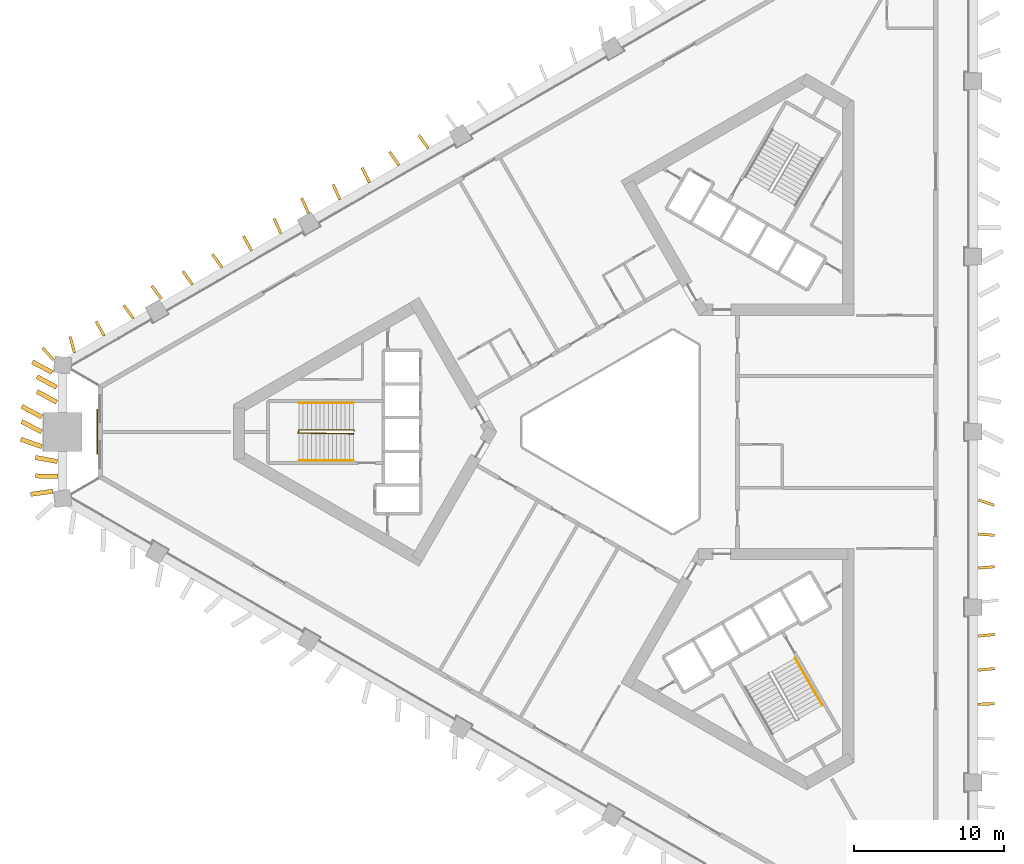
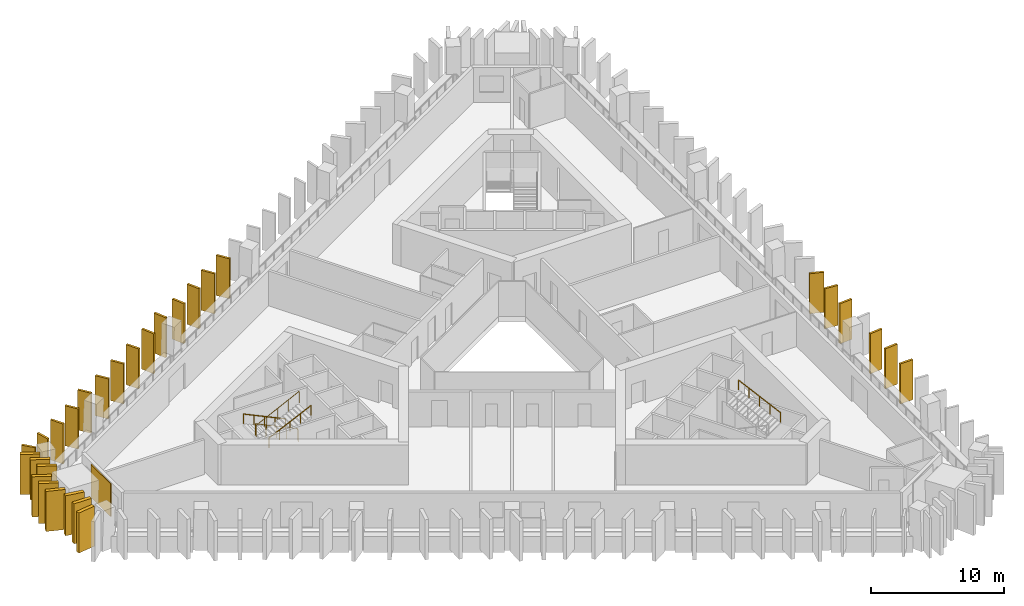
# One storey, part 8 of 10: 29 shading devices, 4 railings, 1 covering.
"""IFC4 building model written with IfcOpenShell, lengths in metres."""

import ifcopenshell
import ifcopenshell.guid

model = None  # the IFC model being written
_history = None  # IfcOwnerHistory: only IFC2X3 demands one
_inside = {}  # id of a spatial element -> (the spatial element, [elements in it])
_under = {}  # id of a project, library or spatial element -> (it, [spatial elements below it])
_declared = {}  # id of a project -> (the project, [libraries it declares])
_typed = {}  # id of a type object -> (the type object, [elements of that type])
_made_of = {}  # id of a material, layer set ... -> (it, [elements and type objects made of it])


def new_model(schema):
    """Start an empty IFC model of exactly this schema.

    Asked for "IFC4X3", IfcOpenShell would pick the latest addendum, in which some entities
    have other attributes; the version numbers below select the first issue.
    IFC2X3 requires an IfcOwnerHistory on every rooted entity: one is made here for all.
    """
    global model, _history
    if schema == "IFC4X3":
        model = ifcopenshell.file(schema_version=(4, 3, 0, 0))
    else:
        model = ifcopenshell.file(schema=schema)
    _inside.clear()
    _under.clear()
    _declared.clear()
    _typed.clear()
    _made_of.clear()
    _history = None
    if model.schema == "IFC2X3":
        org = make("IfcOrganization", Name="unknown")
        user = make(
            "IfcPersonAndOrganization",
            ThePerson=make("IfcPerson", FamilyName="unknown"),
            TheOrganization=org,
        )
        app = make(
            "IfcApplication",
            ApplicationDeveloper=org,
            Version="unknown",
            ApplicationFullName="unknown",
            ApplicationIdentifier="unknown",
        )
        _history = make(
            "IfcOwnerHistory",
            OwningUser=user,
            OwningApplication=app,
            ChangeAction="ADDED",
            CreationDate=0,
        )
    return model


def make(cls, **values):
    """One entity of the class cls with the attributes given. An attribute that is None is left unset."""
    return model.create_entity(
        cls, **{name: value for name, value in values.items() if value is not None}
    )


def rooted(cls, **values):
    """An entity with a GlobalId (a new one), such as an element, a storey or a relation."""
    return make(cls, GlobalId=ifcopenshell.guid.new(), OwnerHistory=_history, **values)


def si_unit(unit_type, name, prefix=None):
    """IfcSIUnit, for example si_unit("LENGTHUNIT", "METRE", prefix="MILLI")."""
    return make("IfcSIUnit", UnitType=unit_type, Prefix=prefix, Name=name)


def assignment(units):
    """IfcUnitAssignment: the units of a project."""
    return None if units is None else make("IfcUnitAssignment", Units=units)


def point(xyz):
    """IfcCartesianPoint."""
    return None if xyz is None else make("IfcCartesianPoint", Coordinates=xyz)


def direction(xyz):
    """IfcDirection."""
    return None if xyz is None else make("IfcDirection", DirectionRatios=xyz)


def frame(location, z_axis=None, x_axis=None):
    """IfcAxis2Placement3D, a coordinate frame: its origin and axes. An axis left out is left unset."""
    return make(
        "IfcAxis2Placement3D",
        Location=point(location),
        Axis=direction(z_axis),
        RefDirection=direction(x_axis),
    )


def frame_2d(location, x_axis=None):
    """IfcAxis2Placement2D, a coordinate frame in the plane: its origin and x axis."""
    return make(
        "IfcAxis2Placement2D", Location=point(location), RefDirection=direction(x_axis)
    )


def origin():
    """The frame at (0, 0, 0) with its axes left unset."""
    return frame((0.0, 0.0, 0.0))


def origin_2d():
    """The frame at (0, 0) in the plane with its x axis left unset."""
    return frame_2d((0.0, 0.0))


def place(relative_to, where):
    """IfcLocalPlacement: puts the frame where relative to a parent placement (None: the world)."""
    return make(
        "IfcLocalPlacement", PlacementRelTo=relative_to, RelativePlacement=where
    )


def context(
    kind, dimensions, precision=None, world=None, true_north=None, identifier=None
):
    """IfcGeometricRepresentationContext, for example the 3D "Model" context."""
    return make(
        "IfcGeometricRepresentationContext",
        ContextIdentifier=identifier,
        ContextType=kind,
        CoordinateSpaceDimension=dimensions,
        Precision=precision,
        WorldCoordinateSystem=world,
        TrueNorth=true_north,
    )


def subcontext(parent, identifier, kind, view, scale=None):
    """IfcGeometricRepresentationSubContext, for example "Body" below "Model"."""
    return make(
        "IfcGeometricRepresentationSubContext",
        ContextIdentifier=identifier,
        ContextType=kind,
        ParentContext=parent,
        TargetScale=scale,
        TargetView=view,
    )


def project(units=None, contexts=None):
    """IfcProject with its units and contexts."""
    return rooted(
        "IfcProject",
        Name="project",
        RepresentationContexts=contexts,
        UnitsInContext=assignment(units),
    )


def spatial(cls, under=None, at=None, **own):
    """A site, building, storey or space (cls), placed at a placement, below another one or the project."""
    s = rooted(cls, ObjectPlacement=at, **own)
    if under is not None:
        _under.setdefault(under.id(), (under, []))[1].append(s)
    return s


def profile(cls, at=None, kind="AREA", **sizes):
    """A parametric profile (cls). Its sizes go by their IFC names, for example OverallWidth=200.0."""
    return make(cls, ProfileType=kind, Position=at, **sizes)


def rectangle(**sizes):
    """IfcRectangleProfileDef."""
    return profile("IfcRectangleProfileDef", **sizes)


def circle(**sizes):
    """IfcCircleProfileDef."""
    return profile("IfcCircleProfileDef", **sizes)


def extrude(swept, where, along, depth):
    """IfcExtrudedAreaSolid: the profile swept, set in the frame where, extruded along a direction by depth."""
    return make(
        "IfcExtrudedAreaSolid",
        SweptArea=swept,
        Position=where,
        ExtrudedDirection=direction(along),
        Depth=depth,
    )


def shape(context_of_items, identifier, shape_type, items):
    """IfcShapeRepresentation: the items that make up one representation, for example the "Body"."""
    return make(
        "IfcShapeRepresentation",
        ContextOfItems=context_of_items,
        RepresentationIdentifier=identifier,
        RepresentationType=shape_type,
        Items=items,
    )


def material(Name=None, Category=None):
    """IfcMaterial."""
    return make("IfcMaterial", Name=Name, Category=Category)


def layer(
    of_material, thickness, ventilated=None, Name=None, Category=None, Priority=None
):
    """IfcMaterialLayer: one layer of a wall or slab, of a material (None: an air gap)."""
    return make(
        "IfcMaterialLayer",
        Material=of_material,
        LayerThickness=thickness,
        IsVentilated=ventilated,
        Name=Name,
        Category=Category,
        Priority=Priority,
    )


def layer_set(layers, Name=None):
    """IfcMaterialLayerSet."""
    return make("IfcMaterialLayerSet", MaterialLayers=layers, LayerSetName=Name)


def made_of(thing, what):
    """Note that an element or type object is made of a material, layer set ...; save() writes the relation."""
    if what is not None:
        _made_of.setdefault(what.id(), (what, []))[1].append(thing)
    return thing


def type_object(cls, material=None, **own):
    """A type object (cls), such as IfcWallType, which elements share."""
    return made_of(rooted(cls, **own), material)


def element(
    cls,
    number,
    at=None,
    inside=None,
    cuts=None,
    type_object=None,
    material=None,
    context=None,
    identifier="Body",
    shape_type=None,
    held_by="IfcProductDefinitionShape",
    body=None,
    shapes=None,
    **own,
):
    """One element of the class cls, such as IfcWall. Its Tag is "e" and its number.

    at: its placement. inside: the storey or other place that contains it. cuts: it is an
    opening in that element (IfcRelVoidsElement). A single representation is given by context,
    identifier, shape_type and body (its items); several are given by shapes. held_by: the class
    of the entity that holds the representations. save() writes the other relations.
    """
    e = rooted(cls, Tag="e%d" % number, ObjectPlacement=at, **own)
    if body is not None:
        shapes = [shape(context, identifier, shape_type, body)]
    if shapes is not None:
        e.Representation = make(held_by, Representations=shapes)
    if inside is not None:
        _inside.setdefault(inside.id(), (inside, []))[1].append(e)
    if cuts is not None:
        rooted(
            "IfcRelVoidsElement", RelatingBuildingElement=cuts, RelatedOpeningElement=e
        )
    if type_object is not None:
        _typed.setdefault(type_object.id(), (type_object, []))[1].append(e)
    return made_of(e, material)


def aggregate(whole, parts):
    """IfcRelAggregates: a whole, such as a stair, and the parts it consists of."""
    return rooted("IfcRelAggregates", RelatingObject=whole, RelatedObjects=parts)


def save(model, path):
    """Write the relations noted so far, then the file.

    IfcRelAggregates (storeys below a building ...), IfcRelContainedInSpatialStructure (elements
    in a storey), IfcRelDefinesByType, IfcRelAssociatesMaterial and IfcRelDeclares: one each for
    every whole, place, type object, material and project.
    """
    for whole, parts in _under.values():
        aggregate(whole, parts)
    for where, things in _inside.values():
        rooted(
            "IfcRelContainedInSpatialStructure",
            RelatedElements=things,
            RelatingStructure=where,
        )
    for kind, things in _typed.values():
        rooted("IfcRelDefinesByType", RelatedObjects=things, RelatingType=kind)
    for what, things in _made_of.values():
        rooted("IfcRelAssociatesMaterial", RelatedObjects=things, RelatingMaterial=what)
    for by, libraries in _declared.values():
        rooted("IfcRelDeclares", RelatingContext=by, RelatedDefinitions=libraries)
    model.write(path)


model = new_model("IFC4")

# Units and contexts
model_context = context("Model", 3, precision=1e-05, world=origin(), true_north=direction((0.0, 1.0)))
body_context = subcontext(model_context, "Body", "Model", "MODEL_VIEW")
ifc_project = project(units=[si_unit("LENGTHUNIT", "METRE"), si_unit("AREAUNIT", "SQUARE_METRE"), si_unit("VOLUMEUNIT", "CUBIC_METRE"), si_unit("PLANEANGLEUNIT", "RADIAN"), si_unit("MASSUNIT", "GRAM", prefix="KILO")], contexts=[model_context])

# Site, building, storey
site_placement = place(None, origin())
site = spatial("IfcSite", under=ifc_project, at=site_placement, CompositionType="ELEMENT")
building_placement = place(site_placement, origin())
building = spatial("IfcBuilding", under=site, at=building_placement, Name="Jabali Bay Hotel Tower and Convention Centre", CompositionType="ELEMENT")
storey_placement = place(building_placement, frame((0.0, 0.0, 86.89990234375)))
storey = spatial("IfcBuildingStorey", under=building, at=storey_placement, Name="L20", CompositionType="ELEMENT", Elevation=86.89990234375)

# Shading devices
ifc_material_1 = material(Name="Precast concrete C60", Category="concrete")
ifc_layer_1 = layer(ifc_material_1, 0.179931640625)
ifc_layer_set_1 = layer_set([ifc_layer_1], Name="Precast concrete C60")
shading_device_type_1 = type_object("IfcShadingDeviceType", Name="Precast fin 3680 x 1100", PredefinedType="USERDEFINED", material=ifc_layer_set_1)
shading_device_1_placement = place(storey_placement, frame((98.19580078125, 61.78759765625, 0.010009765625), z_axis=(0.0, 0.0, 1.0), x_axis=(0.999685563882, 0.025075353767, 0.0)))
element("IfcShadingDevice", 1, at=shading_device_1_placement, inside=storey, type_object=shading_device_type_1, Name="Fin L20 005", ObjectType="FIN", PredefinedType="USERDEFINED", context=body_context, shape_type="SweptSolid", body=[
    extrude(rectangle(XDim=1.10009765625, YDim=0.179931640625, at=frame_2d((0.550048828125, 0.0))), origin(), (0.0, 0.0, 1.0), 3.68017578125),
])
shading_device_2_placement = place(storey_placement, frame((98.202392578125, 64.064208984375, 0.010009765625), z_axis=(0.0, 0.0, 1.0), x_axis=(0.995391116058, 0.095898519656, 0.0)))
element("IfcShadingDevice", 2, at=shading_device_2_placement, inside=storey, type_object=shading_device_type_1, Name="Fin L20 006", ObjectType="FIN", PredefinedType="USERDEFINED", context=body_context, shape_type="SweptSolid", body=[
    extrude(rectangle(XDim=1.099853515625, YDim=0.179931640625, at=frame_2d((0.5498046875, 0.0))), origin(), (0.0, 0.0, 1.0), 3.68017578125),
])
for number, where, z_axis, x_axis, name in (
    (3, (98.203125, 66.3408203125, 0.010009765625), (0.0, 0.0, 1.0), (0.994521251134, 0.104534592565, 0.0), "Fin L20 007"),
    (4, (98.20068359375, 70.893798828125, 0.010009765625), (0.0, 0.0, 1.0), (0.996995441733, 0.077460242468, 0.0), "Fin L20 009"),
    (5, (98.201171875, 73.17041015625, 0.010009765625), (0.0, 0.0, 1.0), (0.996548818927, -0.083008743492, 0.0), "Fin L20 010"),
    (6, (98.22216796875, 75.447021484375, 0.010009765625), (0.0, 0.0, 1.0), (0.948082385544, -0.318024826424, 0.0), "Fin L20 011"),
    (7, (61.42724609375, 98.955810546875, 0.010009765625), (0.0, 0.0, 1.0), (-0.584152700173, 0.811643778317, 0.0), "Fin L20 050"),
):
    element("IfcShadingDevice", number, at=place(storey_placement, frame(where, z_axis=z_axis, x_axis=x_axis)), inside=storey, type_object=shading_device_type_1, Name=name, ObjectType="FIN", PredefinedType="USERDEFINED", context=body_context, shape_type="SweptSolid", body=[
        extrude(rectangle(XDim=1.10009765625, YDim=0.179931640625, at=frame_2d((0.550048828125, 0.0))), origin(), (0.0, 0.0, 1.0), 3.68017578125),
    ])
shading_device_3_placement = place(storey_placement, frame((59.456787109375, 97.8154296875, 0.010009765625), z_axis=(0.0, 0.0, 1.0), x_axis=(-0.561544839227, 0.827446308553, 0.0)))
element("IfcShadingDevice", 8, at=shading_device_3_placement, inside=storey, type_object=shading_device_type_1, Name="Fin L20 051", ObjectType="FIN", PredefinedType="USERDEFINED", context=body_context, shape_type="SweptSolid", body=[
    extrude(rectangle(XDim=1.099853515625, YDim=0.179931640625, at=frame_2d((0.5498046875, 0.0))), origin(), (0.0, 0.0, 1.0), 3.68017578125),
])
shading_device_4_placement = place(storey_placement, frame((57.485595703125, 96.6767578125, 0.010009765625), z_axis=(0.0, 0.0, 1.0), x_axis=(-0.440543122247, 0.897731450625, 0.0)))
element("IfcShadingDevice", 9, at=shading_device_4_placement, inside=storey, type_object=shading_device_type_1, Name="Fin L20 052", ObjectType="FIN", PredefinedType="USERDEFINED", context=body_context, shape_type="SweptSolid", body=[
    extrude(rectangle(XDim=1.10009765625, YDim=0.179931640625, at=frame_2d((0.550048828125, 0.0))), origin(), (0.0, 0.0, 1.0), 3.68017578125),
])
shading_device_5_placement = place(storey_placement, frame((55.512451171875, 95.541015625, 0.010009765625), z_axis=(0.0, 0.0, 1.0), x_axis=(-0.411794889011, 0.911276560318, 0.0)))
element("IfcShadingDevice", 10, at=shading_device_5_placement, inside=storey, type_object=shading_device_type_1, Name="Fin L20 053", ObjectType="FIN", PredefinedType="USERDEFINED", context=body_context, shape_type="SweptSolid", body=[
    extrude(rectangle(XDim=1.099853515625, YDim=0.179931640625, at=frame_2d((0.5498046875, 0.0))), origin(), (0.0, 0.0, 1.0), 3.68017578125),
])
shading_device_6_placement = place(storey_placement, frame((53.412353515625, 94.625732421875, 0.010009765625), z_axis=(0.0, 0.0, 1.0), x_axis=(-0.411895899942, 0.911230907954, 0.0)))
element("IfcShadingDevice", 11, at=shading_device_6_placement, inside=storey, type_object=shading_device_type_1, Name="Fin L20 054", ObjectType="FIN", PredefinedType="USERDEFINED", context=body_context, shape_type="SweptSolid", body=[
    extrude(rectangle(XDim=1.10009765625, YDim=0.179931640625, at=frame_2d((0.550048828125, 0.0))), origin(), (0.0, 0.0, 1.0), 3.68017578125),
])
shading_device_7_placement = place(storey_placement, frame((51.5693359375, 93.264404296875, 0.010009765625), z_axis=(0.0, 0.0, 1.0), x_axis=(-0.411527248912, 0.911397456329, 0.0)))
element("IfcShadingDevice", 12, at=shading_device_7_placement, inside=storey, type_object=shading_device_type_1, Name="Fin L20 055", ObjectType="FIN", PredefinedType="USERDEFINED", context=body_context, shape_type="SweptSolid", body=[
    extrude(rectangle(XDim=1.099853515625, YDim=0.179931640625, at=frame_2d((0.5498046875, 0.0))), origin(), (0.0, 0.0, 1.0), 3.68017578125),
])
shading_device_8_placement = place(storey_placement, frame((49.6015625, 92.119873046875, 0.010009765625), z_axis=(0.0, 0.0, 1.0), x_axis=(-0.483323712543, 0.875441710735, 0.0)))
element("IfcShadingDevice", 13, at=shading_device_8_placement, inside=storey, type_object=shading_device_type_1, Name="Fin L20 056", ObjectType="FIN", PredefinedType="USERDEFINED", context=body_context, shape_type="SweptSolid", body=[
    extrude(rectangle(XDim=1.10009765625, YDim=0.179931640625, at=frame_2d((0.550048828125, 0.0))), origin(), (0.0, 0.0, 1.0), 3.68017578125),
])
shading_device_9_placement = place(storey_placement, frame((47.62646484375, 90.987548828125, 0.010009765625), z_axis=(0.0, 0.0, 1.0), x_axis=(-0.579998706615, 0.814617395054, 0.0)))
element("IfcShadingDevice", 14, at=shading_device_9_placement, inside=storey, type_object=shading_device_type_1, Name="Fin L20 057", ObjectType="FIN", PredefinedType="USERDEFINED", context=body_context, shape_type="SweptSolid", body=[
    extrude(rectangle(XDim=1.099853515625, YDim=0.179931640625, at=frame_2d((0.5498046875, 0.0))), origin(), (0.0, 0.0, 1.0), 3.68017578125),
])
shading_device_10_placement = place(storey_placement, frame((45.65478515625, 89.849853515625, 0.010009765625), z_axis=(0.0, 0.0, 1.0), x_axis=(-0.586349149613, 0.810058439094, 0.0)))
element("IfcShadingDevice", 15, at=shading_device_10_placement, inside=storey, type_object=shading_device_type_1, Name="Fin L20 058", ObjectType="FIN", PredefinedType="USERDEFINED", context=body_context, shape_type="SweptSolid", body=[
    extrude(rectangle(XDim=1.10009765625, YDim=0.179931640625, at=frame_2d((0.550048828125, 0.0))), origin(), (0.0, 0.0, 1.0), 3.68017578125),
])
shading_device_11_placement = place(storey_placement, frame((43.583251953125, 88.884521484375, 0.010009765625), z_axis=(0.0, 0.0, 1.0), x_axis=(-0.590834317179, 0.806792916208, 0.0)))
element("IfcShadingDevice", 16, at=shading_device_11_placement, inside=storey, type_object=shading_device_type_1, Name="Fin L20 059", ObjectType="FIN", PredefinedType="USERDEFINED", context=body_context, shape_type="SweptSolid", body=[
    extrude(rectangle(XDim=1.099853515625, YDim=0.179931640625, at=frame_2d((0.5498046875, 0.0))), origin(), (0.0, 0.0, 1.0), 3.68017578125),
])
shading_device_12_placement = place(storey_placement, frame((41.71142578125, 87.57373046875, 0.010009765625), z_axis=(0.0, 0.0, 1.0), x_axis=(-0.590728531097, 0.806870375307, 0.0)))
element("IfcShadingDevice", 17, at=shading_device_12_placement, inside=storey, type_object=shading_device_type_1, Name="Fin L20 060", ObjectType="FIN", PredefinedType="USERDEFINED", context=body_context, shape_type="SweptSolid", body=[
    extrude(rectangle(XDim=1.10009765625, YDim=0.179931640625, at=frame_2d((0.550048828125, 0.0))), origin(), (0.0, 0.0, 1.0), 3.68017578125),
])
for number, where, z_axis, x_axis, name in (
    (18, (39.743896484375, 86.428466796875, 0.010009765625), (0.0, 0.0, 1.0), (-0.485416771545, 0.874282882083, 0.0), "Fin L20 061"),
    (19, (37.761962890625, 85.30810546875, 0.010009765625), (0.0, 0.0, 1.0), (-0.270115617095, 0.962827893967, 0.0), "Fin L20 062"),
    (20, (36.3583984375, 84.798583984375, 0.010009765625), (0.0, 0.0, 1.0), (-0.658598892832, 0.752494184935, 0.0), "Fin L20 111"),
):
    element("IfcShadingDevice", number, at=place(storey_placement, frame(where, z_axis=z_axis, x_axis=x_axis)), inside=storey, type_object=shading_device_type_1, Name=name, ObjectType="FIN", PredefinedType="USERDEFINED", context=body_context, shape_type="SweptSolid", body=[
        extrude(rectangle(XDim=1.099853515625, YDim=0.179931640625, at=frame_2d((0.5498046875, 0.0))), origin(), (0.0, 0.0, 1.0), 3.68017578125),
    ])
ifc_layer_2 = layer(ifc_material_1, 0.300048828125)
ifc_layer_set_2 = layer_set([ifc_layer_2], Name="Precast concrete C60")
shading_device_type_2 = type_object("IfcShadingDeviceType", Name="Precast fin 3680 x 1500", PredefinedType="USERDEFINED", material=ifc_layer_set_2)
for number, where, z_axis, x_axis, name in (
    (21, (36.2666015625, 83.97021484375, 0.010009765625), (0.0, 0.0, 1.0), (-0.881097417694, 0.472934816368, 0.0), "Fin L20 063"),
    (22, (36.575927734375, 82.9775390625, 0.010009765625), (0.0, 0.0, 1.0), (-0.881097417694, 0.472934816368, 0.0), "Fin L20 064"),
    (23, (36.575927734375, 81.985107421875, 0.010009765625), (0.0, 0.0, 1.0), (-0.881097417694, 0.472934816368, 0.0), "Fin L20 065"),
):
    element("IfcShadingDevice", number, at=place(storey_placement, frame(where, z_axis=z_axis, x_axis=x_axis)), inside=storey, type_object=shading_device_type_2, Name=name, ObjectType="FIN", PredefinedType="USERDEFINED", context=body_context, shape_type="SweptSolid", body=[
        extrude(rectangle(XDim=1.500244140625, YDim=0.300048828125, at=frame_2d((0.75, 0.0))), origin(), (0.0, 0.0, 1.0), 3.68017578125),
    ])
for number, where, z_axis, x_axis, name in (
    (24, (35.5634765625, 80.992431640625, 0.010009765625), (0.0, 0.0, 1.0), (-0.880993173002, 0.473128977261, 0.0), "Fin L20 066"),
    (25, (35.565673828125, 80.0, 0.010009765625), (0.0, 0.0, 1.0), (-0.888958493145, 0.457987769995, 0.0), "Fin L20 067"),
    (26, (35.58447265625, 79.007568359375, 0.010009765625), (0.0, 0.0, 1.0), (-0.943209482728, 0.332198542579, 0.0), "Fin L20 068"),
    (27, (36.61962890625, 78.014892578125, 0.010009765625), (0.0, 0.0, 1.0), (-0.983395142045, 0.181477256435, 0.0), "Fin L20 069"),
    (28, (36.643798828125, 77.0224609375, 0.010009765625), (0.0, 0.0, 1.0), (-0.999815560972, 0.019205312745, 0.0), "Fin L20 070"),
    (29, (36.318603515625, 76.02978515625, 0.010009765625), (0.0, 0.0, 1.0), (-0.990361849124, -0.138504179721, 0.0), "Fin L20 071"),
):
    element("IfcShadingDevice", number, at=place(storey_placement, frame(where, z_axis=z_axis, x_axis=x_axis)), inside=storey, type_object=shading_device_type_2, Name=name, ObjectType="FIN", PredefinedType="USERDEFINED", context=body_context, shape_type="SweptSolid", body=[
        extrude(rectangle(XDim=1.5, YDim=0.300048828125, at=frame_2d((0.75, 0.0))), origin(), (0.0, 0.0, 1.0), 3.68017578125),
    ])

# Covering
ifc_material_2 = material(Name="Precast concrete C40/50", Category="concrete")
ifc_layer_3 = layer(ifc_material_2, 0.080078125)
ifc_layer_set_3 = layer_set([ifc_layer_3], Name="Precast concrete C40/50")
covering_type = type_object("IfcCoveringType", Name="Relief panel 3000 x 3000", PredefinedType="CLADDING", material=ifc_layer_set_3)
covering_placement = place(storey_placement, frame((39.29345703125, 80.0, 0.10009765625), z_axis=(0.0, 0.0, 1.0), x_axis=(0.0, 1.0, 0.0)))
element("IfcCovering", 30, at=covering_placement, inside=storey, type_object=covering_type, Name="Relief panel L20", PredefinedType="CLADDING", context=body_context, shape_type="SweptSolid", body=[
    extrude(rectangle(XDim=3.0, YDim=0.080078125, at=origin_2d()), origin(), (0.0, 0.0, 1.0), 3.0),
])

# Railings
ifc_material_3 = material(Name="Steel Q355B", Category="steel")
railing_type_1 = type_object("IfcRailingType", Name="Stair guard 1100", PredefinedType="GUARDRAIL", material=ifc_material_3)
railing_1_placement = place(storey_placement, frame((56.469970703125, 80.074951171875, 0.0)))
element("IfcRailing", 31, at=railing_1_placement, inside=storey, type_object=railing_type_1, Name="L20 ST1 stair guard 1", PredefinedType="GUARDRAIL", context=body_context, shape_type="SweptSolid", body=[
    extrude(circle(Radius=0.02392578125, at=origin_2d()), frame((0.0, 0.0, 1.076171875), z_axis=(-0.333514590198, 0.333514590198, 0.881780038474), x_axis=(-0.707106781187, -0.707106781187, 0.0)), (0.0, 0.0, 1.0), 0.150146484375),
    extrude(circle(Radius=0.02392578125, at=origin_2d()), frame((-0.050048828125, 0.050048828125, 1.20849609375), z_axis=(-0.904350763662, 0.0, 0.426789990819), x_axis=(0.0, -1.0, 0.0)), (0.0, 0.0, 1.0), 4.02490234375),
    extrude(circle(Radius=0.02392578125, at=origin_2d()), frame((-3.68994140625, 0.050048828125, 2.92626953125), z_axis=(-0.242814311512, -0.970072785993, 0.0), x_axis=(0.970072785993, -0.242814311512, 0.0)), (0.0, 0.0, 1.0), 0.2060546875),
    extrude(circle(Radius=0.02392578125, at=origin_2d()), frame((-3.739990234375, -0.14990234375, 2.92626953125), z_axis=(0.893864111827, -0.012124000458, 0.448174026692), x_axis=(0.013562335953, 0.999908027292, 0.0)), (0.0, 0.0, 1.0), 4.128173828125),
    extrude(circle(Radius=0.02099609375, at=origin_2d()), origin(), (0.0, 0.0, 1.0), 1.052001953125),
    extrude(circle(Radius=0.02099609375, at=origin_2d()), frame((-0.050048828125, 0.050048828125, 0.13232421875)), (0.0, 0.0, 1.0), 1.052001953125),
    extrude(circle(Radius=0.02099609375, at=origin_2d()), frame((-0.9599609375, 0.050048828125, 0.561767578125)), (0.0, 0.0, 1.0), 1.052001953125),
    extrude(circle(Radius=0.02099609375, at=origin_2d()), frame((-1.8701171875, 0.050048828125, 0.9912109375)), (0.0, 0.0, 1.0), 1.052001953125),
    extrude(circle(Radius=0.02099609375, at=origin_2d()), frame((-2.780029296875, 0.050048828125, 1.420654296875)), (0.0, 0.0, 1.0), 1.052001953125),
    extrude(circle(Radius=0.02099609375, at=origin_2d()), frame((-3.68994140625, 0.050048828125, 1.85009765625)), (0.0, 0.0, 1.0), 1.052001953125),
    extrude(circle(Radius=0.02099609375, at=origin_2d()), frame((-3.739990234375, -0.14990234375, 1.85009765625)), (0.0, 0.0, 1.0), 1.052001953125),
    extrude(circle(Radius=0.02099609375, at=origin_2d()), frame((-2.8173828125, -0.162353515625, 2.3125)), (0.0, 0.0, 1.0), 1.052001953125),
    extrude(circle(Radius=0.02099609375, at=origin_2d()), frame((-1.89501953125, -0.1748046875, 2.775146484375)), (0.0, 0.0, 1.0), 1.052001953125),
    extrude(circle(Radius=0.02099609375, at=origin_2d()), frame((-0.97265625, -0.1875, 3.23779296875)), (0.0, 0.0, 1.0), 1.052001953125),
    extrude(circle(Radius=0.02099609375, at=origin_2d()), frame((-0.050048828125, -0.199951171875, 3.7001953125)), (0.0, 0.0, 1.0), 1.052001953125),
])
railing_type_2 = type_object("IfcRailingType", Name="Stair handrail 900", PredefinedType="HANDRAIL", material=ifc_material_3)
railing_2_placement = place(storey_placement, frame((56.419921875, 81.925048828125, 0.13232421875)))
element("IfcRailing", 32, at=railing_2_placement, inside=storey, type_object=railing_type_2, Name="L20 ST1 stair handrail 1", PredefinedType="HANDRAIL", context=body_context, shape_type="SweptSolid", body=[
    extrude(circle(Radius=0.02392578125, at=origin_2d()), frame((0.0, 0.0, 0.8759765625), z_axis=(-0.904350763662, 0.0, 0.426789990819), x_axis=(0.0, -1.0, 0.0)), (0.0, 0.0, 1.0), 4.02490234375),
    extrude(circle(Radius=0.02099609375, at=origin_2d()), origin(), (0.0, 0.0, 1.0), 0.851806640625),
    extrude(circle(Radius=0.02099609375, at=origin_2d()), frame((-0.909912109375, 0.0, 0.429443359375)), (0.0, 0.0, 1.0), 0.851806640625),
    extrude(circle(Radius=0.02099609375, at=origin_2d()), frame((-1.81982421875, 0.0, 0.85888671875)), (0.0, 0.0, 1.0), 0.851806640625),
    extrude(circle(Radius=0.02099609375, at=origin_2d()), frame((-2.72998046875, 0.0, 1.288330078125)), (0.0, 0.0, 1.0), 0.851806640625),
    extrude(circle(Radius=0.02099609375, at=origin_2d()), frame((-3.639892578125, 0.0, 1.7177734375)), (0.0, 0.0, 1.0), 0.851806640625),
])
railing_3_placement = place(storey_placement, frame((52.780029296875, 78.074951171875, 1.982177734375)))
element("IfcRailing", 33, at=railing_3_placement, inside=storey, type_object=railing_type_2, Name="L20 ST1 stair handrail 2", PredefinedType="HANDRAIL", context=body_context, shape_type="SweptSolid", body=[
    extrude(circle(Radius=0.02392578125, at=origin_2d()), frame((0.0, 0.0, 0.8759765625), z_axis=(0.904327350853, 0.0, 0.426839598092), x_axis=(0.0, 1.0, 0.0)), (0.0, 0.0, 1.0), 4.02490234375),
    extrude(circle(Radius=0.02099609375, at=origin_2d()), origin(), (0.0, 0.0, 1.0), 0.851806640625),
    extrude(circle(Radius=0.02099609375, at=origin_2d()), frame((0.909912109375, 0.0, 0.429443359375)), (0.0, 0.0, 1.0), 0.851806640625),
    extrude(circle(Radius=0.02099609375, at=origin_2d()), frame((1.81982421875, 0.0, 0.85888671875)), (0.0, 0.0, 1.0), 0.851806640625),
    extrude(circle(Radius=0.02099609375, at=origin_2d()), frame((2.72998046875, 0.0, 1.28857421875)), (0.0, 0.0, 1.0), 0.851806640625),
    extrude(circle(Radius=0.02099609375, at=origin_2d()), frame((3.639892578125, 0.0, 1.718017578125)), (0.0, 0.0, 1.0), 0.851806640625),
])
railing_4_placement = place(storey_placement, frame((87.777099609375, 61.719482421875, 1.982177734375)))
element("IfcRailing", 34, at=railing_4_placement, inside=storey, type_object=railing_type_2, Name="L20 ST3 stair handrail 2", PredefinedType="HANDRAIL", context=body_context, shape_type="SweptSolid", body=[
    extrude(circle(Radius=0.02392578125, at=origin_2d()), frame((0.0, 0.0, 0.8759765625), z_axis=(-0.45217862506, 0.783169739339, 0.426825081763), x_axis=(-0.866018046521, -0.500012742938, 0.0)), (0.0, 0.0, 1.0), 4.025146484375),
    extrude(circle(Radius=0.02099609375, at=origin_2d()), origin(), (0.0, 0.0, 1.0), 0.851806640625),
    extrude(circle(Radius=0.02099609375, at=origin_2d()), frame((-0.455078125, 0.7880859375, 0.429443359375)), (0.0, 0.0, 1.0), 0.851806640625),
    extrude(circle(Radius=0.02099609375, at=origin_2d()), frame((-0.91015625, 1.576171875, 0.85888671875)), (0.0, 0.0, 1.0), 0.851806640625),
    extrude(circle(Radius=0.02099609375, at=origin_2d()), frame((-1.364990234375, 2.3642578125, 1.28857421875)), (0.0, 0.0, 1.0), 0.851806640625),
    extrude(circle(Radius=0.02099609375, at=origin_2d()), frame((-1.820068359375, 3.15234375, 1.718017578125)), (0.0, 0.0, 1.0), 0.851806640625),
])

save(model, "model.ifc")
